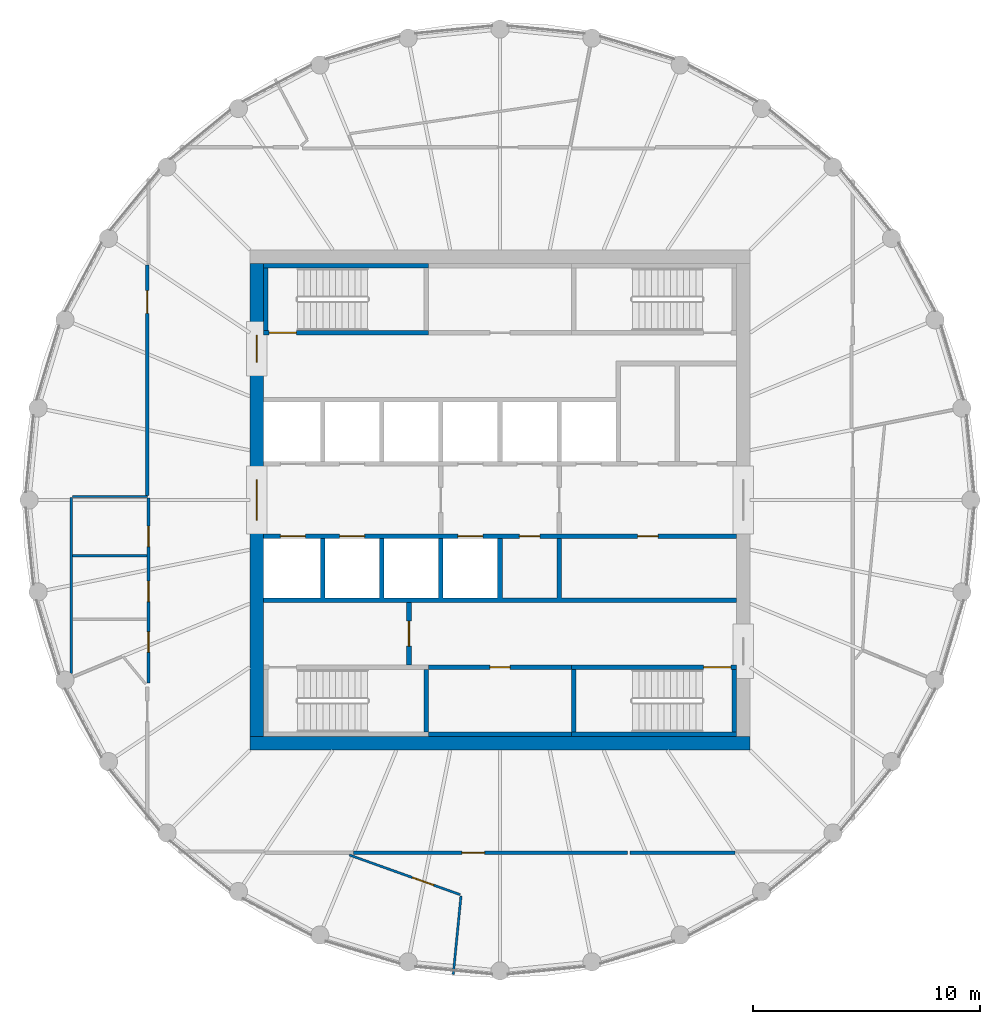
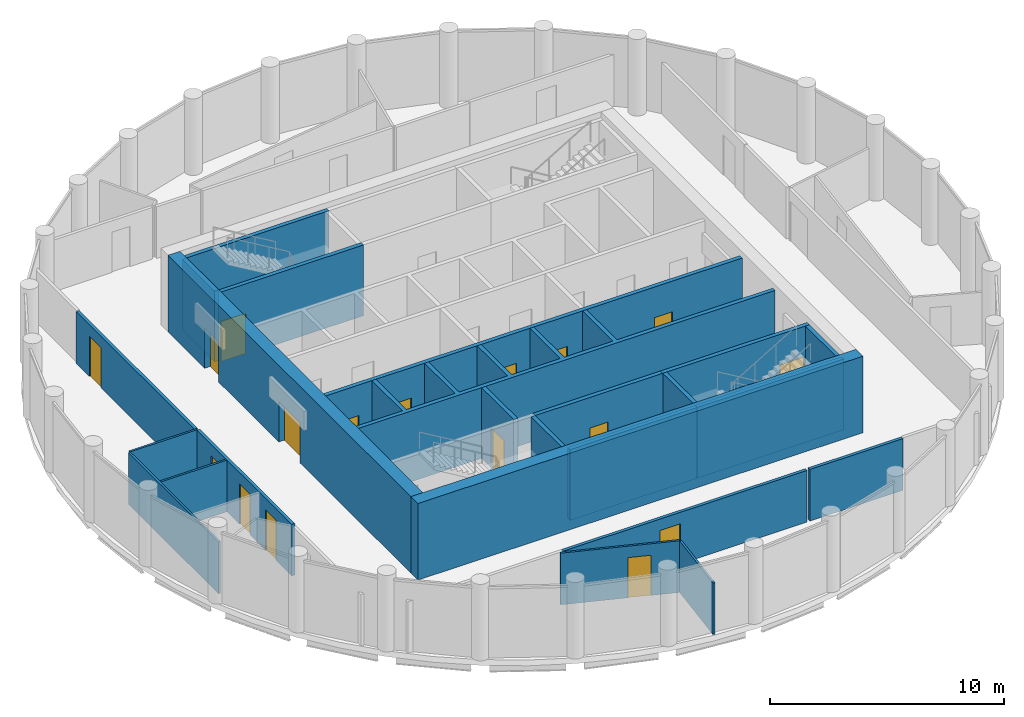
# One storey, part 4 of 7: 24 walls, 17 doors, 17 openings.
"""IFC4 building model written with IfcOpenShell, lengths in metres."""

from ifc_helpers import new_model, si_unit, direction, frame, frame_2d, origin, place, context, subcontext, project, spatial, polyline, rectangle, outline, extrude, material, layer, layer_set, type_object, element, fill, save


model = new_model("IFC4")

# Units and contexts
model_context = context("Model", 3, precision=1e-05, world=origin(), true_north=direction((0.0, 1.0)))
body_context = subcontext(model_context, "Body", "Model", "MODEL_VIEW")
ifc_project = project(units=[si_unit("LENGTHUNIT", "METRE"), si_unit("AREAUNIT", "SQUARE_METRE"), si_unit("VOLUMEUNIT", "CUBIC_METRE"), si_unit("PLANEANGLEUNIT", "RADIAN"), si_unit("MASSUNIT", "GRAM", prefix="KILO")], contexts=[model_context])

# Site, building, storey
site_placement = place(None, origin())
site = spatial("IfcSite", under=ifc_project, at=site_placement, CompositionType="ELEMENT")
building_placement = place(site_placement, origin())
building = spatial("IfcBuilding", under=site, at=building_placement, Name="Corvane Civic Tower", CompositionType="ELEMENT")
storey_placement = place(building_placement, frame((0.0, 0.0, 344.5)))
storey = spatial("IfcBuildingStorey", under=building, at=storey_placement, Name="L82", CompositionType="ELEMENT", Elevation=344.5)

# Wall
ifc_material_1 = material(Name="Concrete C40/50", Category="concrete")
ifc_layer_1 = layer(ifc_material_1, 0.60009765625)
ifc_layer_set_1 = layer_set([ifc_layer_1], Name="Concrete C40/50")
wall_type_1 = type_object("IfcWallType", Name="CORE WALL 600 C40/50", PredefinedType="SHEAR", material=ifc_layer_set_1)
wall_1_placement = place(storey_placement, frame((-11.0, -10.699951171875, 0.0), z_axis=(0.0, 0.0, 1.0), x_axis=(1.0, 0.0, 0.0)))
element("IfcWall", 1, at=wall_1_placement, inside=storey, type_object=wall_type_1, Name="W-L82-core-S", PredefinedType="SHEAR", context=body_context, shape_type="SweptSolid", body=[
    extrude(rectangle(XDim=22.0, YDim=0.60009765625, at=frame_2d((11.0, 0.0))), origin(), (0.0, 0.0, 1.0), 4.0),
])

# Wall, openings, doors
wall_2_placement = place(storey_placement, frame((-10.699951171875, -10.39990234375, 0.0), z_axis=(0.0, 0.0, 1.0), x_axis=(0.0, 1.0, 0.0)))
wall_2 = element("IfcWall", 2, at=wall_2_placement, inside=storey, type_object=wall_type_1, Name="W-L82-core-W", PredefinedType="SHEAR", context=body_context, shape_type="SweptSolid", body=[
    extrude(rectangle(XDim=20.7998046875, YDim=0.60009765625, at=frame_2d((10.39990234375, 0.0))), origin(), (0.0, 0.0, 1.0), 4.0),
])
opening_1_placement = place(wall_2_placement, frame((9.5, 0.0, 0.0)))
opening_1 = element("IfcOpeningElement", 3, at=opening_1_placement, cuts=wall_2, Name="Opening L82.C14", PredefinedType="OPENING", context=body_context, shape_type="SweptSolid", body=[
    extrude(rectangle(XDim=1.800048828125, YDim=2.10009765625, at=frame_2d((0.89990234375, 1.050048828125))), frame((0.0, 0.31005859375, 0.0), z_axis=(0.0, -1.0, 0.0), x_axis=(1.0, 0.0, 0.0)), (0.0, 0.0, 1.0), 0.6201171875),
])
opening_2_placement = place(wall_2_placement, frame((16.449951171875, 0.0, 0.0)))
opening_2 = element("IfcOpeningElement", 4, at=opening_2_placement, cuts=wall_2, Name="Opening L82.C16", PredefinedType="OPENING", context=body_context, shape_type="SweptSolid", body=[
    extrude(rectangle(XDim=1.199951171875, YDim=2.10009765625, at=frame_2d((0.60009765625, 1.050048828125))), frame((0.0, 0.31005859375, 0.0), z_axis=(0.0, -1.0, 0.0), x_axis=(1.0, 0.0, 0.0)), (0.0, 0.0, 1.0), 0.6201171875),
])
ifc_material_2 = material(Name="Steel fire door leaf", Category="steel")
door_type_1 = type_object("IfcDoorType", Name="CR-DOOR-CORE-1800", OperationType="DOUBLE_DOOR_SINGLE_SWING", PredefinedType="DOOR", material=ifc_material_2)
door_1_placement = place(opening_1_placement, origin())
door_1 = element("IfcDoor", 5, at=door_1_placement, inside=storey, type_object=door_type_1, Name="L82 door", OperationType="DOUBLE_DOOR_SINGLE_SWING", OverallHeight=2.10009765625, OverallWidth=1.800048828125, PredefinedType="DOOR", context=body_context, shape_type="SweptSolid", body=[
    extrude(rectangle(XDim=1.800048828125, YDim=2.10009765625, at=frame_2d((0.89990234375, 1.050048828125))), frame((0.0, 0.02490234375, 0.0), z_axis=(0.0, -1.0, 0.0), x_axis=(1.0, 0.0, 0.0)), (0.0, 0.0, 1.0), 0.050048828125),
])
fill(opening_1, door_1)
door_2_placement = place(opening_2_placement, origin())
door_2 = element("IfcDoor", 6, at=door_2_placement, inside=storey, type_object=door_type_1, Name="L82 door", OperationType="DOUBLE_DOOR_SINGLE_SWING", OverallHeight=2.10009765625, OverallWidth=1.199951171875, PredefinedType="DOOR", context=body_context, shape_type="SweptSolid", body=[
    extrude(rectangle(XDim=1.199951171875, YDim=2.10009765625, at=frame_2d((0.60009765625, 1.050048828125))), frame((0.0, 0.02490234375, 0.0), z_axis=(0.0, -1.0, 0.0), x_axis=(1.0, 0.0, 0.0)), (0.0, 0.0, 1.0), 0.050048828125),
])
fill(opening_2, door_2)

# Wall, opening, door
ifc_material_3 = material(Name="Concrete C30/37", Category="concrete")
ifc_layer_2 = layer(ifc_material_3, 0.199951171875)
ifc_layer_set_2 = layer_set([ifc_layer_2], Name="Concrete C30/37")
wall_type_2 = type_object("IfcWallType", Name="CR-WALL-200", PredefinedType="PARTITIONING", material=ifc_layer_set_2)
wall_3_placement = place(storey_placement, frame((-3.14990234375, -7.35009765625, 0.0), z_axis=(0.0, 0.0, 1.0), x_axis=(1.0, 0.0, 0.0)))
wall_3 = element("IfcWall", 7, at=wall_3_placement, inside=storey, type_object=wall_type_2, Name="L82 core partition wall", PredefinedType="PARTITIONING", context=body_context, shape_type="SweptSolid", body=[
    extrude(rectangle(XDim=6.2998046875, YDim=0.199951171875, at=frame_2d((3.14990234375, 0.0))), origin(), (0.0, 0.0, 1.0), 3.699951171875),
])
opening_3_placement = place(wall_3_placement, frame((2.699951171875, 0.0, 0.0)))
opening_3 = element("IfcOpeningElement", 8, at=opening_3_placement, cuts=wall_3, Name="Opening L82.C06", PredefinedType="OPENING", context=body_context, shape_type="SweptSolid", body=[
    extrude(rectangle(XDim=0.89990234375, YDim=2.10009765625, at=frame_2d((0.449951171875, 1.050048828125))), frame((0.0, 0.10986328125, 0.0), z_axis=(0.0, -1.0, 0.0), x_axis=(1.0, 0.0, 0.0)), (0.0, 0.0, 1.0), 0.219970703125),
])
ifc_material_4 = material(Name="Steel fire door leaf", Category="steel")
door_type_2 = type_object("IfcDoorType", Name="CR-DOOR-900", OperationType="SINGLE_SWING_LEFT", PredefinedType="DOOR", material=ifc_material_4)
door_3_placement = place(opening_3_placement, origin())
door_3 = element("IfcDoor", 9, at=door_3_placement, inside=storey, type_object=door_type_2, Name="L82 door", OperationType="SINGLE_SWING_LEFT", OverallHeight=2.10009765625, OverallWidth=0.89990234375, PredefinedType="DOOR", context=body_context, shape_type="SweptSolid", body=[
    extrude(rectangle(XDim=0.89990234375, YDim=2.10009765625, at=frame_2d((0.449951171875, 1.050048828125))), frame((0.0, 0.02490234375, 0.0), z_axis=(0.0, -1.0, 0.0), x_axis=(1.0, 0.0, 0.0)), (0.0, 0.0, 1.0), 0.050048828125),
])
fill(opening_3, door_3)

# Wall, openings, doors
wall_4_placement = place(storey_placement, frame((-10.39990234375, -1.60009765625, 0.0), z_axis=(0.0, 0.0, 1.0), x_axis=(1.0, 0.0, 0.0)))
wall_4 = element("IfcWall", 10, at=wall_4_placement, inside=storey, type_object=wall_type_2, Name="L82 lift shaft wall", PredefinedType="PARTITIONING", context=body_context, shape_type="SweptSolid", body=[
    extrude(rectangle(XDim=20.7998046875, YDim=0.199951171875, at=frame_2d((10.39990234375, 0.0))), origin(), (0.0, 0.0, 1.0), 3.699951171875),
])
opening_4_placement = place(wall_4_placement, frame((0.75, 0.0, 0.0)))
opening_4 = element("IfcOpeningElement", 11, at=opening_4_placement, cuts=wall_4, Name="Opening LD", PredefinedType="OPENING", context=body_context, shape_type="SweptSolid", body=[
    extrude(rectangle(XDim=1.10009765625, YDim=2.10009765625, at=frame_2d((0.550048828125, 1.050048828125))), frame((0.0, 0.10986328125, 0.0), z_axis=(0.0, -1.0, 0.0), x_axis=(1.0, 0.0, 0.0)), (0.0, 0.0, 1.0), 0.219970703125),
])
opening_5_placement = place(wall_4_placement, frame((3.35009765625, 0.0, 0.0)))
opening_5 = element("IfcOpeningElement", 12, at=opening_5_placement, cuts=wall_4, Name="Opening LD", PredefinedType="OPENING", context=body_context, shape_type="SweptSolid", body=[
    extrude(rectangle(XDim=1.10009765625, YDim=2.10009765625, at=frame_2d((0.550048828125, 1.050048828125))), frame((0.0, 0.10986328125, 0.0), z_axis=(0.0, -1.0, 0.0), x_axis=(1.0, 0.0, 0.0)), (0.0, 0.0, 1.0), 0.219970703125),
])
opening_6_placement = place(wall_4_placement, frame((8.550048828125, 0.0, 0.0)))
opening_6 = element("IfcOpeningElement", 13, at=opening_6_placement, cuts=wall_4, Name="Opening LD", PredefinedType="OPENING", context=body_context, shape_type="SweptSolid", body=[
    extrude(rectangle(XDim=1.10009765625, YDim=2.10009765625, at=frame_2d((0.550048828125, 1.050048828125))), frame((0.0, 0.10986328125, 0.0), z_axis=(0.0, -1.0, 0.0), x_axis=(1.0, 0.0, 0.0)), (0.0, 0.0, 1.0), 0.219970703125),
])
opening_7_placement = place(wall_4_placement, frame((11.25, 0.0, 0.0)))
opening_7 = element("IfcOpeningElement", 14, at=opening_7_placement, cuts=wall_4, Name="Opening L82.C03", PredefinedType="OPENING", context=body_context, shape_type="SweptSolid", body=[
    extrude(rectangle(XDim=0.89990234375, YDim=2.10009765625, at=frame_2d((0.449951171875, 1.050048828125))), frame((0.0, 0.10986328125, 0.0), z_axis=(0.0, -1.0, 0.0), x_axis=(1.0, 0.0, 0.0)), (0.0, 0.0, 1.0), 0.219970703125),
])
opening_8_placement = place(wall_4_placement, frame((16.449951171875, 0.0, 0.0)))
opening_8 = element("IfcOpeningElement", 15, at=opening_8_placement, cuts=wall_4, Name="Opening L82.C04", PredefinedType="OPENING", context=body_context, shape_type="SweptSolid", body=[
    extrude(rectangle(XDim=0.89990234375, YDim=2.10009765625, at=frame_2d((0.449951171875, 1.050048828125))), frame((0.0, 0.10986328125, 0.0), z_axis=(0.0, -1.0, 0.0), x_axis=(1.0, 0.0, 0.0)), (0.0, 0.0, 1.0), 0.219970703125),
])
door_4_placement = place(opening_7_placement, origin())
door_4 = element("IfcDoor", 16, at=door_4_placement, inside=storey, type_object=door_type_2, Name="L82 door", OperationType="SINGLE_SWING_LEFT", OverallHeight=2.10009765625, OverallWidth=0.89990234375, PredefinedType="DOOR", context=body_context, shape_type="SweptSolid", body=[
    extrude(rectangle(XDim=0.89990234375, YDim=2.10009765625, at=frame_2d((0.449951171875, 1.050048828125))), frame((0.0, 0.02490234375, 0.0), z_axis=(0.0, -1.0, 0.0), x_axis=(1.0, 0.0, 0.0)), (0.0, 0.0, 1.0), 0.050048828125),
])
fill(opening_7, door_4)
door_5_placement = place(opening_8_placement, origin())
door_5 = element("IfcDoor", 17, at=door_5_placement, inside=storey, type_object=door_type_2, Name="L82 door", OperationType="SINGLE_SWING_LEFT", OverallHeight=2.10009765625, OverallWidth=0.89990234375, PredefinedType="DOOR", context=body_context, shape_type="SweptSolid", body=[
    extrude(rectangle(XDim=0.89990234375, YDim=2.10009765625, at=frame_2d((0.449951171875, 1.050048828125))), frame((0.0, 0.02490234375, 0.0), z_axis=(0.0, -1.0, 0.0), x_axis=(1.0, 0.0, 0.0)), (0.0, 0.0, 1.0), 0.050048828125),
])
fill(opening_8, door_5)
ifc_material_5 = material(Name="Stainless steel 316 door leaves", Category="steel")
door_type_3 = type_object("IfcDoorType", Name="LD", OperationType="DOUBLE_DOOR_SLIDING", PredefinedType="DOOR", material=ifc_material_5)
door_6_placement = place(opening_4_placement, origin())
door_6 = element("IfcDoor", 18, at=door_6_placement, inside=storey, type_object=door_type_3, Name="L82 landing door", OperationType="DOUBLE_DOOR_SLIDING", OverallHeight=2.10009765625, OverallWidth=1.10009765625, PredefinedType="DOOR", context=body_context, shape_type="SweptSolid", body=[
    extrude(rectangle(XDim=1.10009765625, YDim=2.10009765625, at=frame_2d((0.550048828125, 1.050048828125))), frame((0.0, 0.02490234375, 0.0), z_axis=(0.0, -1.0, 0.0), x_axis=(1.0, 0.0, 0.0)), (0.0, 0.0, 1.0), 0.050048828125),
])
fill(opening_4, door_6)
door_7_placement = place(opening_5_placement, origin())
door_7 = element("IfcDoor", 19, at=door_7_placement, inside=storey, type_object=door_type_3, Name="L82 landing door", OperationType="DOUBLE_DOOR_SLIDING", OverallHeight=2.10009765625, OverallWidth=1.10009765625, PredefinedType="DOOR", context=body_context, shape_type="SweptSolid", body=[
    extrude(rectangle(XDim=1.10009765625, YDim=2.10009765625, at=frame_2d((0.550048828125, 1.050048828125))), frame((0.0, 0.02490234375, 0.0), z_axis=(0.0, -1.0, 0.0), x_axis=(1.0, 0.0, 0.0)), (0.0, 0.0, 1.0), 0.050048828125),
])
fill(opening_5, door_7)
door_8_placement = place(opening_6_placement, origin())
door_8 = element("IfcDoor", 20, at=door_8_placement, inside=storey, type_object=door_type_3, Name="L82 landing door", OperationType="DOUBLE_DOOR_SLIDING", OverallHeight=2.10009765625, OverallWidth=1.10009765625, PredefinedType="DOOR", context=body_context, shape_type="SweptSolid", body=[
    extrude(rectangle(XDim=1.10009765625, YDim=2.10009765625, at=frame_2d((0.550048828125, 1.050048828125))), frame((0.0, 0.02490234375, 0.0), z_axis=(0.0, -1.0, 0.0), x_axis=(1.0, 0.0, 0.0)), (0.0, 0.0, 1.0), 0.050048828125),
])
fill(opening_6, door_8)

# Wall, opening, door
wall_5_placement = place(storey_placement, frame((-4.0, -7.25, 0.0), z_axis=(0.0, 0.0, 1.0), x_axis=(0.0, 1.0, 0.0)))
wall_5 = element("IfcWall", 21, at=wall_5_placement, inside=storey, type_object=wall_type_2, Name="L82 core partition wall", PredefinedType="PARTITIONING", context=body_context, shape_type="SweptSolid", body=[
    extrude(rectangle(XDim=2.75, YDim=0.199951171875, at=frame_2d((1.375, 0.0))), origin(), (0.0, 0.0, 1.0), 3.699951171875),
])
opening_9_placement = place(wall_5_placement, frame((0.824951171875, 0.0, 0.0)))
opening_9 = element("IfcOpeningElement", 22, at=opening_9_placement, cuts=wall_5, Name="Opening L82.C13", PredefinedType="OPENING", context=body_context, shape_type="SweptSolid", body=[
    extrude(rectangle(XDim=1.10009765625, YDim=2.10009765625, at=frame_2d((0.550048828125, 1.050048828125))), frame((0.0, 0.10986328125, 0.0), z_axis=(0.0, -1.0, 0.0), x_axis=(1.0, 0.0, 0.0)), (0.0, 0.0, 1.0), 0.219970703125),
])
ifc_material_6 = material(Name="Steel fire door leaf", Category="steel")
door_type_4 = type_object("IfcDoorType", Name="CR-DOOR-FFL-1100", OperationType="SINGLE_SWING_LEFT", PredefinedType="DOOR", material=ifc_material_6)
door_9_placement = place(opening_9_placement, origin())
door_9 = element("IfcDoor", 23, at=door_9_placement, inside=storey, type_object=door_type_4, Name="L82 lobby door", OperationType="SINGLE_SWING_LEFT", OverallHeight=2.10009765625, OverallWidth=1.10009765625, PredefinedType="DOOR", context=body_context, shape_type="SweptSolid", body=[
    extrude(rectangle(XDim=1.10009765625, YDim=2.10009765625, at=frame_2d((0.550048828125, 1.050048828125))), frame((0.0, 0.02490234375, 0.0), z_axis=(0.0, -1.0, 0.0), x_axis=(1.0, 0.0, 0.0)), (0.0, 0.0, 1.0), 0.050048828125),
])
fill(opening_9, door_9)

# Walls
wall_6_placement = place(storey_placement, origin())
element("IfcWall", 24, at=wall_6_placement, inside=storey, type_object=wall_type_2, Name="L82 core partition wall", PredefinedType="PARTITIONING", context=body_context, shape_type="SweptSolid", body=[
    extrude(outline(polyline([(-7.89990234375, -4.300048828125), (-7.89990234375, -1.699951171875), (-7.699951171875, -1.699951171875), (-7.699951171875, -4.300048828125), (-5.300048828125, -4.300048828125), (-5.300048828125, -1.699951171875), (-5.10009765625, -1.699951171875), (-5.10009765625, -4.300048828125), (-2.699951171875, -4.300048828125), (-2.699951171875, -1.699951171875), (-2.5, -1.699951171875), (-2.5, -4.300048828125), (-0.10009765625, -4.300048828125), (-0.10009765625, -1.699951171875), (0.10009765625, -1.699951171875), (0.10009765625, -4.300048828125), (2.5, -4.300048828125), (2.5, -1.699951171875), (2.699951171875, -1.699951171875), (2.699951171875, -4.300048828125), (10.39990234375, -4.300048828125), (10.39990234375, -4.5), (-10.39990234375, -4.5), (-10.39990234375, -4.300048828125), (-7.89990234375, -4.300048828125)])), origin(), (0.0, 0.0, 1.0), 3.699951171875),
])
wall_7_placement = place(storey_placement, origin())
element("IfcWall", 25, at=wall_7_placement, inside=storey, type_object=wall_type_2, Name="L82 core partition wall", PredefinedType="PARTITIONING", context=body_context, shape_type="SweptSolid", body=[
    extrude(outline(polyline([(3.14990234375, -10.199951171875), (3.14990234375, -10.39990234375), (-3.14990234375, -10.39990234375), (-3.14990234375, -10.199951171875), (3.14990234375, -10.199951171875)])), origin(), (0.0, 0.0, 1.0), 3.699951171875),
])
ifc_material_7 = material(Name="Plasterboard")
ifc_layer_3 = layer(ifc_material_7, 0.10009765625)
ifc_layer_set_3 = layer_set([ifc_layer_3], Name="Plasterboard")
wall_type_3 = type_object("IfcWallType", Name="Partition 100 plasterboard on studs", PredefinedType="PARTITIONING", material=ifc_layer_set_3)
wall_8_placement = place(storey_placement, frame((-2.053466796875, -20.849365234375, 0.0), z_axis=(0.0, 0.0, 1.0), x_axis=(0.098003807525, 0.995186039749, 0.0)))
element("IfcWall", 26, at=wall_8_placement, inside=storey, type_object=wall_type_3, Name="Partition L82.001", PredefinedType="PARTITIONING", context=body_context, shape_type="SweptSolid", body=[
    extrude(rectangle(XDim=3.465087890625, YDim=0.10009765625, at=frame_2d((1.732421875, 0.0))), origin(), (0.0, 0.0, 1.0), 2.699951171875),
])

# Wall, opening, door
wall_9_placement = place(storey_placement, frame((-6.61962890625, -15.605224609375, 0.0), z_axis=(0.0, 0.0, 1.0), x_axis=(0.941535751178, -0.336913088577, 0.0)))
wall_9 = element("IfcWall", 27, at=wall_9_placement, inside=storey, type_object=wall_type_3, Name="Partition L82.002", PredefinedType="PARTITIONING", context=body_context, shape_type="SweptSolid", body=[
    extrude(rectangle(XDim=5.17529296875, YDim=0.10009765625, at=frame_2d((2.587646484375, 0.0))), origin(), (0.0, 0.0, 1.0), 2.699951171875),
])
opening_10_placement = place(wall_9_placement, frame((2.94140625, 0.0, 0.0)))
opening_10 = element("IfcOpeningElement", 28, at=opening_10_placement, cuts=wall_9, Name="Opening L82.005", PredefinedType="OPENING", context=body_context, shape_type="SweptSolid", body=[
    extrude(rectangle(XDim=1.0, YDim=2.10009765625, at=frame_2d((0.5, 1.050048828125))), frame((0.0, 0.06005859375, 0.0), z_axis=(0.0, -1.0, 0.0), x_axis=(1.0, 0.0, 0.0)), (0.0, 0.0, 1.0), 0.1201171875),
])
ifc_material_8 = material(Name="Timber", Category="wood")
door_type_5 = type_object("IfcDoorType", Name="Single door 1000", OperationType="NOTDEFINED", PredefinedType="DOOR", material=ifc_material_8)
door_10_placement = place(opening_10_placement, frame((1.0, 0.0, 0.0), z_axis=(0.0, 0.0, 1.0), x_axis=(-1.0, 0.0, 0.0)))
door_10 = element("IfcDoor", 29, at=door_10_placement, inside=storey, type_object=door_type_5, Name="Door L82.005", OperationType="SINGLE_SWING_LEFT", OverallHeight=2.10009765625, OverallWidth=1.0, PredefinedType="DOOR", context=body_context, shape_type="SweptSolid", body=[
    extrude(rectangle(XDim=1.0, YDim=2.10009765625, at=frame_2d((0.5, 1.050048828125))), frame((0.0, 0.02490234375, 0.0), z_axis=(0.0, -1.0, 0.0), x_axis=(1.0, 0.0, 0.0)), (0.0, 0.0, 1.0), 0.050048828125),
])
fill(opening_10, door_10)

# Walls
wall_10_placement = place(storey_placement, frame((-18.85009765625, -7.617431640625, 0.0), z_axis=(0.0, 0.0, 1.0), x_axis=(0.0, 1.0, 0.0)))
element("IfcWall", 30, at=wall_10_placement, inside=storey, type_object=wall_type_3, Name="Partition L82.014", PredefinedType="PARTITIONING", context=body_context, shape_type="SweptSolid", body=[
    extrude(rectangle(XDim=7.72216796875, YDim=0.10009765625, at=frame_2d((3.861083984375, 0.0))), origin(), (0.0, 0.0, 1.0), 2.699951171875),
])
wall_11_placement = place(storey_placement, frame((-18.800048828125, -2.4453125, 0.0), z_axis=(0.0, 0.0, 1.0), x_axis=(1.0, 0.0, 0.0)))
element("IfcWall", 31, at=wall_11_placement, inside=storey, type_object=wall_type_3, Name="Partition L82.017", PredefinedType="PARTITIONING", context=body_context, shape_type="SweptSolid", body=[
    extrude(rectangle(XDim=3.275146484375, YDim=0.10009765625, at=frame_2d((1.6376953125, 0.0))), origin(), (0.0, 0.0, 1.0), 2.699951171875),
])
wall_12_placement = place(storey_placement, frame((-18.800048828125, 0.15478515625, 0.0), z_axis=(0.0, 0.0, 1.0), x_axis=(1.0, 0.0, 0.0)))
element("IfcWall", 32, at=wall_12_placement, inside=storey, type_object=wall_type_3, Name="Partition L82.018", PredefinedType="PARTITIONING", context=body_context, shape_type="SweptSolid", body=[
    extrude(rectangle(XDim=3.300048828125, YDim=0.10009765625, at=frame_2d((1.64990234375, 0.0))), origin(), (0.0, 0.0, 1.0), 2.699951171875),
])

# Wall, opening, door
ifc_material_9 = material(Name="Concrete C50/60", Category="concrete")
ifc_layer_4 = layer(ifc_material_9, 0.199951171875)
ifc_layer_set_4 = layer_set([ifc_layer_4], Name="Concrete C50/60")
wall_type_4 = type_object("IfcWallType", Name="ST-WALL-200", PredefinedType="SHEAR", material=ifc_layer_set_4)
wall_13_placement = place(storey_placement, frame((3.14990234375, -7.35009765625, 0.0), z_axis=(0.0, 0.0, 1.0), x_axis=(1.0, 0.0, 0.0)))
wall_13 = element("IfcWall", 33, at=wall_13_placement, inside=storey, type_object=wall_type_4, Name="L82 stair enclosure wall", PredefinedType="SHEAR", context=body_context, shape_type="SweptSolid", body=[
    extrude(rectangle(XDim=7.25, YDim=0.199951171875, at=frame_2d((3.625, 0.0))), origin(), (0.0, 0.0, 1.0), 3.699951171875),
])
opening_11_placement = place(wall_13_placement, frame((5.800048828125, 0.0, 0.0)))
opening_11 = element("IfcOpeningElement", 34, at=opening_11_placement, cuts=wall_13, Name="Opening L82.C09", PredefinedType="OPENING", context=body_context, shape_type="SweptSolid", body=[
    extrude(rectangle(XDim=1.199951171875, YDim=2.10009765625, at=frame_2d((0.60009765625, 1.050048828125))), frame((0.0, 0.10986328125, 0.0), z_axis=(0.0, -1.0, 0.0), x_axis=(1.0, 0.0, 0.0)), (0.0, 0.0, 1.0), 0.219970703125),
])
ifc_material_10 = material(Name="Steel fire door leaf", Category="steel")
door_type_6 = type_object("IfcDoorType", Name="ST-DOOR-1200", OperationType="SINGLE_SWING_RIGHT", PredefinedType="DOOR", material=ifc_material_10)
door_11_placement = place(opening_11_placement, origin())
door_11 = element("IfcDoor", 35, at=door_11_placement, inside=storey, type_object=door_type_6, Name="L82 stair door", OperationType="SINGLE_SWING_RIGHT", OverallHeight=2.10009765625, OverallWidth=1.199951171875, PredefinedType="DOOR", context=body_context, shape_type="SweptSolid", body=[
    extrude(rectangle(XDim=1.199951171875, YDim=2.10009765625, at=frame_2d((0.60009765625, 1.050048828125))), frame((0.0, 0.02490234375, 0.0), z_axis=(0.0, -1.0, 0.0), x_axis=(1.0, 0.0, 0.0)), (0.0, 0.0, 1.0), 0.050048828125),
])
fill(opening_11, door_11)

wall_14_placement = place(storey_placement, frame((-10.39990234375, 7.35009765625, 0.0), z_axis=(0.0, 0.0, 1.0), x_axis=(1.0, 0.0, 0.0)))
wall_14 = element("IfcWall", 36, at=wall_14_placement, inside=storey, type_object=wall_type_4, Name="L82 stair enclosure wall", PredefinedType="SHEAR", context=body_context, shape_type="SweptSolid", body=[
    extrude(rectangle(XDim=7.25, YDim=0.199951171875, at=frame_2d((3.625, 0.0))), origin(), (0.0, 0.0, 1.0), 3.699951171875),
])
opening_12_placement = place(wall_14_placement, frame((0.25, 0.0, 0.0)))
opening_12 = element("IfcOpeningElement", 37, at=opening_12_placement, cuts=wall_14, Name="Opening L82.C08", PredefinedType="OPENING", context=body_context, shape_type="SweptSolid", body=[
    extrude(rectangle(XDim=1.199951171875, YDim=2.10009765625, at=frame_2d((0.60009765625, 1.050048828125))), frame((0.0, 0.10986328125, 0.0), z_axis=(0.0, -1.0, 0.0), x_axis=(1.0, 0.0, 0.0)), (0.0, 0.0, 1.0), 0.219970703125),
])
door_12_placement = place(opening_12_placement, origin())
door_12 = element("IfcDoor", 38, at=door_12_placement, inside=storey, type_object=door_type_6, Name="L82 stair door", OperationType="SINGLE_SWING_RIGHT", OverallHeight=2.10009765625, OverallWidth=1.199951171875, PredefinedType="DOOR", context=body_context, shape_type="SweptSolid", body=[
    extrude(rectangle(XDim=1.199951171875, YDim=2.10009765625, at=frame_2d((0.60009765625, 1.050048828125))), frame((0.0, 0.02490234375, 0.0), z_axis=(0.0, -1.0, 0.0), x_axis=(1.0, 0.0, 0.0)), (0.0, 0.0, 1.0), 0.050048828125),
])
fill(opening_12, door_12)

# Walls
wall_15_placement = place(storey_placement, origin())
element("IfcWall", 39, at=wall_15_placement, inside=storey, type_object=wall_type_4, Name="L82 stair enclosure wall", PredefinedType="SHEAR", context=body_context, shape_type="SweptSolid", body=[
    extrude(outline(polyline([(-3.14990234375, 10.199951171875), (-10.39990234375, 10.199951171875), (-10.39990234375, 10.39990234375), (-3.14990234375, 10.39990234375), (-3.14990234375, 10.199951171875)])), origin(), (0.0, 0.0, 1.0), 3.699951171875),
])
wall_16_placement = place(storey_placement, origin())
element("IfcWall", 40, at=wall_16_placement, inside=storey, type_object=wall_type_4, Name="L82 stair enclosure wall", PredefinedType="SHEAR", context=body_context, shape_type="SweptSolid", body=[
    extrude(outline(polyline([(10.39990234375, -10.39990234375), (3.14990234375, -10.39990234375), (3.14990234375, -10.199951171875), (10.39990234375, -10.199951171875), (10.39990234375, -10.39990234375)])), origin(), (0.0, 0.0, 1.0), 3.699951171875),
])
wall_17_placement = place(storey_placement, origin())
element("IfcWall", 41, at=wall_17_placement, inside=storey, type_object=wall_type_4, Name="L82 stair enclosure wall", PredefinedType="SHEAR", context=body_context, shape_type="SweptSolid", body=[
    extrude(outline(polyline([(-3.14990234375, -7.449951171875), (-3.14990234375, -10.199951171875), (-3.35009765625, -10.199951171875), (-3.35009765625, -7.449951171875), (-3.14990234375, -7.449951171875)])), origin(), (0.0, 0.0, 1.0), 3.699951171875),
])
wall_18_placement = place(storey_placement, origin())
element("IfcWall", 42, at=wall_18_placement, inside=storey, type_object=wall_type_4, Name="L82 stair enclosure wall", PredefinedType="SHEAR", context=body_context, shape_type="SweptSolid", body=[
    extrude(outline(polyline([(3.35009765625, -7.449951171875), (3.35009765625, -10.199951171875), (3.14990234375, -10.199951171875), (3.14990234375, -7.449951171875), (3.35009765625, -7.449951171875)])), origin(), (0.0, 0.0, 1.0), 3.699951171875),
])
wall_19_placement = place(storey_placement, origin())
element("IfcWall", 43, at=wall_19_placement, inside=storey, type_object=wall_type_4, Name="L82 stair enclosure wall", PredefinedType="SHEAR", context=body_context, shape_type="SweptSolid", body=[
    extrude(outline(polyline([(-10.199951171875, 7.449951171875), (-10.39990234375, 7.449951171875), (-10.39990234375, 10.199951171875), (-10.199951171875, 10.199951171875), (-10.199951171875, 7.449951171875)])), origin(), (0.0, 0.0, 1.0), 3.699951171875),
])
wall_20_placement = place(storey_placement, origin())
element("IfcWall", 44, at=wall_20_placement, inside=storey, type_object=wall_type_4, Name="L82 stair enclosure wall", PredefinedType="SHEAR", context=body_context, shape_type="SweptSolid", body=[
    extrude(outline(polyline([(10.39990234375, -7.449951171875), (10.39990234375, -10.199951171875), (10.199951171875, -10.199951171875), (10.199951171875, -7.449951171875), (10.39990234375, -7.449951171875)])), origin(), (0.0, 0.0, 1.0), 3.699951171875),
])

# Wall, opening, door
ifc_material_11 = material(Name="Plasterboard")
ifc_layer_5 = layer(ifc_material_11, 0.14990234375)
ifc_layer_set_5 = layer_set([ifc_layer_5], Name="Plasterboard")
wall_type_5 = type_object("IfcWallType", Name="Tenancy wall 150 EI 60", PredefinedType="PARTITIONING", material=ifc_layer_set_5)
wall_21_placement = place(storey_placement, frame((-6.447265625, -15.5, 0.0), z_axis=(0.0, 0.0, 1.0), x_axis=(1.0, 0.0, 0.0)))
wall_21 = element("IfcWall", 45, at=wall_21_placement, inside=storey, type_object=wall_type_5, Name="Partition L82.004", PredefinedType="PARTITIONING", context=body_context, shape_type="SweptSolid", body=[
    extrude(rectangle(XDim=12.04296875, YDim=0.14990234375, at=frame_2d((6.021484375, 0.0))), origin(), (0.0, 0.0, 1.0), 2.699951171875),
])
opening_13_placement = place(wall_21_placement, frame((4.771484375, 0.0, 0.0)))
opening_13 = element("IfcOpeningElement", 46, at=opening_13_placement, cuts=wall_21, Name="Opening L82.004", PredefinedType="OPENING", context=body_context, shape_type="SweptSolid", body=[
    extrude(rectangle(XDim=1.0, YDim=2.10009765625, at=frame_2d((0.5, 1.050048828125))), frame((0.0, 0.0849609375, 0.0), z_axis=(0.0, -1.0, 0.0), x_axis=(1.0, 0.0, 0.0)), (0.0, 0.0, 1.0), 0.169921875),
])
ifc_material_12 = material(Name="Steel and timber", Category="steel")
door_type_7 = type_object("IfcDoorType", Name="Fire door FD30S 1000", OperationType="NOTDEFINED", PredefinedType="DOOR", material=ifc_material_12)
door_13_placement = place(opening_13_placement, frame((1.0, 0.0, 0.0), z_axis=(0.0, 0.0, 1.0), x_axis=(-1.0, 0.0, 0.0)))
door_13 = element("IfcDoor", 47, at=door_13_placement, inside=storey, type_object=door_type_7, Name="Door L82.004", OperationType="SINGLE_SWING_LEFT", OverallHeight=2.10009765625, OverallWidth=1.0, PredefinedType="DOOR", context=body_context, shape_type="SweptSolid", body=[
    extrude(rectangle(XDim=1.0, YDim=2.10009765625, at=frame_2d((0.5, 1.050048828125))), frame((0.0, 0.02490234375, 0.0), z_axis=(0.0, -1.0, 0.0), x_axis=(1.0, 0.0, 0.0)), (0.0, 0.0, 1.0), 0.050048828125),
])
fill(opening_13, door_13)

# Wall
wall_22_placement = place(storey_placement, frame((5.723388671875, -15.5, 0.0), z_axis=(0.0, 0.0, 1.0), x_axis=(1.0, 0.0, 0.0)))
element("IfcWall", 48, at=wall_22_placement, inside=storey, type_object=wall_type_5, Name="Partition L82.005", PredefinedType="PARTITIONING", context=body_context, shape_type="SweptSolid", body=[
    extrude(rectangle(XDim=4.59912109375, YDim=0.14990234375, at=frame_2d((2.299560546875, 0.0))), origin(), (0.0, 0.0, 1.0), 2.699951171875),
])

# Wall, openings, doors
wall_23_placement = place(storey_placement, frame((-15.449951171875, -8.03564453125, 0.0), z_axis=(0.0, 0.0, 1.0), x_axis=(0.0, 1.0, 0.0)))
wall_23 = element("IfcWall", 49, at=wall_23_placement, inside=storey, type_object=wall_type_5, Name="Partition L82.011", PredefinedType="PARTITIONING", context=body_context, shape_type="SweptSolid", body=[
    extrude(rectangle(XDim=8.115234375, YDim=0.14990234375, at=frame_2d((4.0576171875, 0.0))), origin(), (0.0, 0.0, 1.0), 2.699951171875),
])
opening_14_placement = place(wall_23_placement, frame((3.564697265625, 0.0, 0.0)))
opening_14 = element("IfcOpeningElement", 50, at=opening_14_placement, cuts=wall_23, Name="Opening L82.008", PredefinedType="OPENING", context=body_context, shape_type="SweptSolid", body=[
    extrude(rectangle(XDim=0.89990234375, YDim=2.10009765625, at=frame_2d((0.449951171875, 1.050048828125))), frame((0.0, 0.0849609375, 0.0), z_axis=(0.0, -1.0, 0.0), x_axis=(1.0, 0.0, 0.0)), (0.0, 0.0, 1.0), 0.169921875),
])
opening_15_placement = place(wall_23_placement, frame((5.98779296875, 0.0, 0.0)))
opening_15 = element("IfcOpeningElement", 51, at=opening_15_placement, cuts=wall_23, Name="Opening L82.009", PredefinedType="OPENING", context=body_context, shape_type="SweptSolid", body=[
    extrude(rectangle(XDim=0.89990234375, YDim=2.10009765625, at=frame_2d((0.449951171875, 1.050048828125))), frame((0.0, 0.0849609375, 0.0), z_axis=(0.0, -1.0, 0.0), x_axis=(1.0, 0.0, 0.0)), (0.0, 0.0, 1.0), 0.169921875),
])
opening_16_placement = place(wall_23_placement, frame((1.343994140625, 0.0, 0.0)))
opening_16 = element("IfcOpeningElement", 52, at=opening_16_placement, cuts=wall_23, Name="Opening L82.010", PredefinedType="OPENING", context=body_context, shape_type="SweptSolid", body=[
    extrude(rectangle(XDim=0.89990234375, YDim=2.10009765625, at=frame_2d((0.449951171875, 1.050048828125))), frame((0.0, 0.0849609375, 0.0), z_axis=(0.0, -1.0, 0.0), x_axis=(1.0, 0.0, 0.0)), (0.0, 0.0, 1.0), 0.169921875),
])
ifc_material_13 = material(Name="Steel and timber", Category="steel")
door_type_8 = type_object("IfcDoorType", Name="Fire door FD30S 900", OperationType="NOTDEFINED", PredefinedType="DOOR", material=ifc_material_13)
door_14_placement = place(opening_14_placement, origin())
door_14 = element("IfcDoor", 53, at=door_14_placement, inside=storey, type_object=door_type_8, Name="Door L82.008", OperationType="SINGLE_SWING_LEFT", OverallHeight=2.10009765625, OverallWidth=0.89990234375, PredefinedType="DOOR", context=body_context, shape_type="SweptSolid", body=[
    extrude(rectangle(XDim=0.89990234375, YDim=2.10009765625, at=frame_2d((0.449951171875, 1.050048828125))), frame((0.0, 0.02490234375, 0.0), z_axis=(0.0, -1.0, 0.0), x_axis=(1.0, 0.0, 0.0)), (0.0, 0.0, 1.0), 0.050048828125),
])
fill(opening_14, door_14)
door_15_placement = place(opening_15_placement, origin())
door_15 = element("IfcDoor", 54, at=door_15_placement, inside=storey, type_object=door_type_8, Name="Door L82.009", OperationType="SINGLE_SWING_RIGHT", OverallHeight=2.10009765625, OverallWidth=0.89990234375, PredefinedType="DOOR", context=body_context, shape_type="SweptSolid", body=[
    extrude(rectangle(XDim=0.89990234375, YDim=2.10009765625, at=frame_2d((0.449951171875, 1.050048828125))), frame((0.0, 0.02490234375, 0.0), z_axis=(0.0, -1.0, 0.0), x_axis=(1.0, 0.0, 0.0)), (0.0, 0.0, 1.0), 0.050048828125),
])
fill(opening_15, door_15)
door_16_placement = place(opening_16_placement, origin())
door_16 = element("IfcDoor", 55, at=door_16_placement, inside=storey, type_object=door_type_8, Name="Door L82.010", OperationType="SINGLE_SWING_LEFT", OverallHeight=2.10009765625, OverallWidth=0.89990234375, PredefinedType="DOOR", context=body_context, shape_type="SweptSolid", body=[
    extrude(rectangle(XDim=0.89990234375, YDim=2.10009765625, at=frame_2d((0.449951171875, 1.050048828125))), frame((0.0, 0.02490234375, 0.0), z_axis=(0.0, -1.0, 0.0), x_axis=(1.0, 0.0, 0.0)), (0.0, 0.0, 1.0), 0.050048828125),
])
fill(opening_16, door_16)

# Wall, opening, door
wall_24_placement = place(storey_placement, frame((-15.5, 0.20458984375, 0.0), z_axis=(0.0, 0.0, 1.0), x_axis=(0.0, 1.0, 0.0)))
wall_24 = element("IfcWall", 56, at=wall_24_placement, inside=storey, type_object=wall_type_5, Name="Partition L82.019", PredefinedType="PARTITIONING", context=body_context, shape_type="SweptSolid", body=[
    extrude(rectangle(XDim=10.126220703125, YDim=0.14990234375, at=frame_2d((5.06298828125, 0.0))), origin(), (0.0, 0.0, 1.0), 2.699951171875),
])
opening_17_placement = place(wall_24_placement, frame((7.99658203125, 0.0, 0.0)))
opening_17 = element("IfcOpeningElement", 57, at=opening_17_placement, cuts=wall_24, Name="Opening L82.007", PredefinedType="OPENING", context=body_context, shape_type="SweptSolid", body=[
    extrude(rectangle(XDim=1.0, YDim=2.10009765625, at=frame_2d((0.5, 1.050048828125))), frame((0.0, 0.0849609375, 0.0), z_axis=(0.0, -1.0, 0.0), x_axis=(1.0, 0.0, 0.0)), (0.0, 0.0, 1.0), 0.169921875),
])
door_17_placement = place(opening_17_placement, origin())
door_17 = element("IfcDoor", 58, at=door_17_placement, inside=storey, type_object=door_type_7, Name="Door L82.007", OperationType="SINGLE_SWING_LEFT", OverallHeight=2.10009765625, OverallWidth=1.0, PredefinedType="DOOR", context=body_context, shape_type="SweptSolid", body=[
    extrude(rectangle(XDim=1.0, YDim=2.10009765625, at=frame_2d((0.5, 1.050048828125))), frame((0.0, 0.02490234375, 0.0), z_axis=(0.0, -1.0, 0.0), x_axis=(1.0, 0.0, 0.0)), (0.0, 0.0, 1.0), 0.050048828125),
])
fill(opening_17, door_17)

save(model, "model.ifc")
